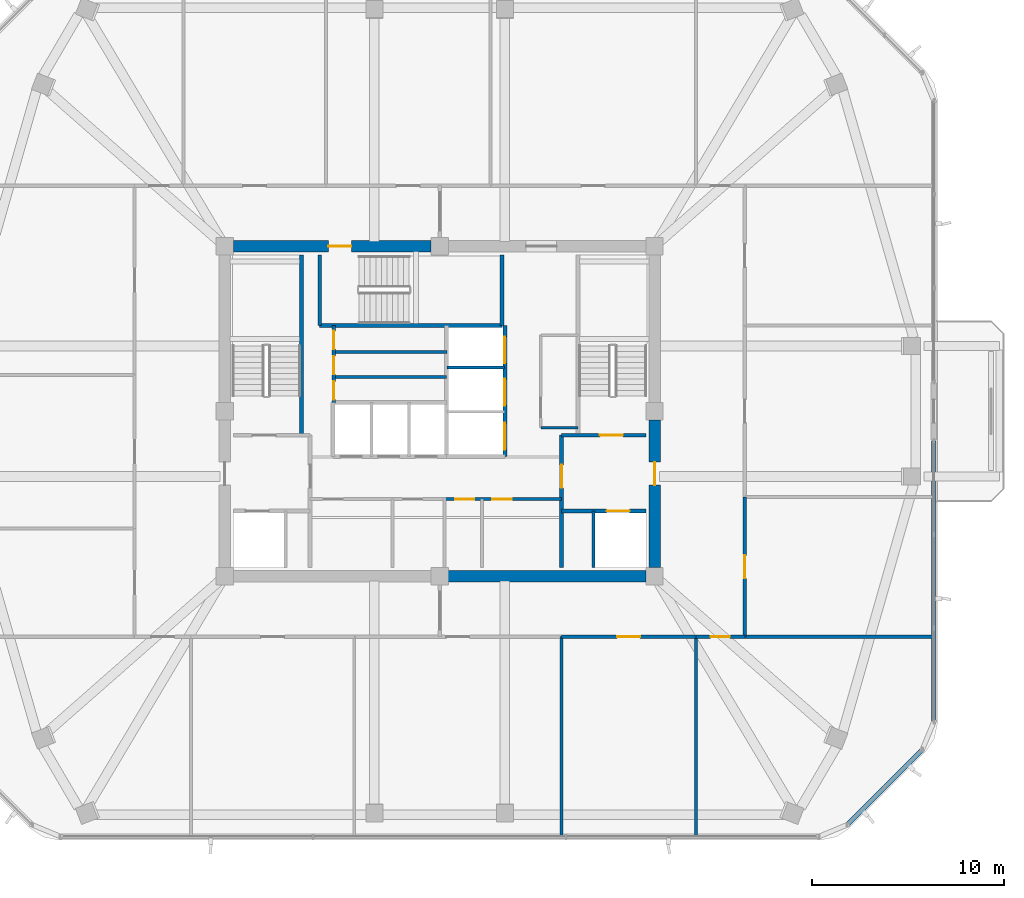
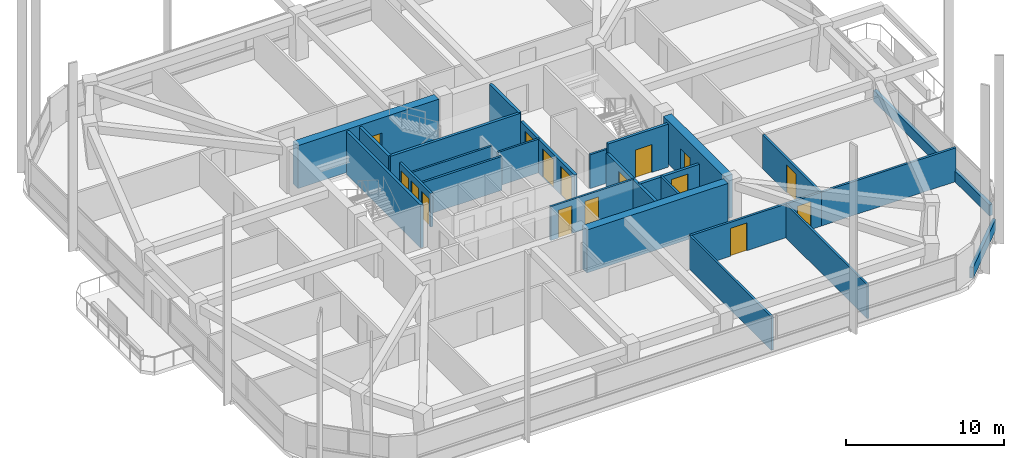
# One storey, part 11 of 17: 26 walls, 16 doors, 16 openings.
"""IFC4 building model written with IfcOpenShell, lengths in metres."""

import ifcopenshell
import ifcopenshell.guid

model = None  # the IFC model being written
_history = None  # IfcOwnerHistory: only IFC2X3 demands one
_inside = {}  # id of a spatial element -> (the spatial element, [elements in it])
_under = {}  # id of a project, library or spatial element -> (it, [spatial elements below it])
_declared = {}  # id of a project -> (the project, [libraries it declares])
_typed = {}  # id of a type object -> (the type object, [elements of that type])
_made_of = {}  # id of a material, layer set ... -> (it, [elements and type objects made of it])


def new_model(schema):
    """Start an empty IFC model of exactly this schema.

    Asked for "IFC4X3", IfcOpenShell would pick the latest addendum, in which some entities
    have other attributes; the version numbers below select the first issue.
    IFC2X3 requires an IfcOwnerHistory on every rooted entity: one is made here for all.
    """
    global model, _history
    if schema == "IFC4X3":
        model = ifcopenshell.file(schema_version=(4, 3, 0, 0))
    else:
        model = ifcopenshell.file(schema=schema)
    _inside.clear()
    _under.clear()
    _declared.clear()
    _typed.clear()
    _made_of.clear()
    _history = None
    if model.schema == "IFC2X3":
        org = make("IfcOrganization", Name="unknown")
        user = make(
            "IfcPersonAndOrganization",
            ThePerson=make("IfcPerson", FamilyName="unknown"),
            TheOrganization=org,
        )
        app = make(
            "IfcApplication",
            ApplicationDeveloper=org,
            Version="unknown",
            ApplicationFullName="unknown",
            ApplicationIdentifier="unknown",
        )
        _history = make(
            "IfcOwnerHistory",
            OwningUser=user,
            OwningApplication=app,
            ChangeAction="ADDED",
            CreationDate=0,
        )
    return model


def make(cls, **values):
    """One entity of the class cls with the attributes given. An attribute that is None is left unset."""
    return model.create_entity(
        cls, **{name: value for name, value in values.items() if value is not None}
    )


def rooted(cls, **values):
    """An entity with a GlobalId (a new one), such as an element, a storey or a relation."""
    return make(cls, GlobalId=ifcopenshell.guid.new(), OwnerHistory=_history, **values)


def si_unit(unit_type, name, prefix=None):
    """IfcSIUnit, for example si_unit("LENGTHUNIT", "METRE", prefix="MILLI")."""
    return make("IfcSIUnit", UnitType=unit_type, Prefix=prefix, Name=name)


def derived_unit(unit_type, elements):
    """IfcDerivedUnit: a product of units, each with its exponent."""
    return make(
        "IfcDerivedUnit",
        Elements=[
            make("IfcDerivedUnitElement", Unit=unit, Exponent=power)
            for unit, power in elements
        ],
        UnitType=unit_type,
    )


def assignment(units):
    """IfcUnitAssignment: the units of a project."""
    return None if units is None else make("IfcUnitAssignment", Units=units)


def point(xyz):
    """IfcCartesianPoint."""
    return None if xyz is None else make("IfcCartesianPoint", Coordinates=xyz)


def direction(xyz):
    """IfcDirection."""
    return None if xyz is None else make("IfcDirection", DirectionRatios=xyz)


def frame(location, z_axis=None, x_axis=None):
    """IfcAxis2Placement3D, a coordinate frame: its origin and axes. An axis left out is left unset."""
    return make(
        "IfcAxis2Placement3D",
        Location=point(location),
        Axis=direction(z_axis),
        RefDirection=direction(x_axis),
    )


def frame_2d(location, x_axis=None):
    """IfcAxis2Placement2D, a coordinate frame in the plane: its origin and x axis."""
    return make(
        "IfcAxis2Placement2D", Location=point(location), RefDirection=direction(x_axis)
    )


def origin():
    """The frame at (0, 0, 0) with its axes left unset."""
    return frame((0.0, 0.0, 0.0))


def place(relative_to, where):
    """IfcLocalPlacement: puts the frame where relative to a parent placement (None: the world)."""
    return make(
        "IfcLocalPlacement", PlacementRelTo=relative_to, RelativePlacement=where
    )


def context(
    kind, dimensions, precision=None, world=None, true_north=None, identifier=None
):
    """IfcGeometricRepresentationContext, for example the 3D "Model" context."""
    return make(
        "IfcGeometricRepresentationContext",
        ContextIdentifier=identifier,
        ContextType=kind,
        CoordinateSpaceDimension=dimensions,
        Precision=precision,
        WorldCoordinateSystem=world,
        TrueNorth=true_north,
    )


def subcontext(parent, identifier, kind, view, scale=None):
    """IfcGeometricRepresentationSubContext, for example "Body" below "Model"."""
    return make(
        "IfcGeometricRepresentationSubContext",
        ContextIdentifier=identifier,
        ContextType=kind,
        ParentContext=parent,
        TargetScale=scale,
        TargetView=view,
    )


def project(units=None, contexts=None):
    """IfcProject with its units and contexts."""
    return rooted(
        "IfcProject",
        Name="project",
        RepresentationContexts=contexts,
        UnitsInContext=assignment(units),
    )


def spatial(cls, under=None, at=None, **own):
    """A site, building, storey or space (cls), placed at a placement, below another one or the project."""
    s = rooted(cls, ObjectPlacement=at, **own)
    if under is not None:
        _under.setdefault(under.id(), (under, []))[1].append(s)
    return s


def profile(cls, at=None, kind="AREA", **sizes):
    """A parametric profile (cls). Its sizes go by their IFC names, for example OverallWidth=200.0."""
    return make(cls, ProfileType=kind, Position=at, **sizes)


def rectangle(**sizes):
    """IfcRectangleProfileDef."""
    return profile("IfcRectangleProfileDef", **sizes)


def extrude(swept, where, along, depth):
    """IfcExtrudedAreaSolid: the profile swept, set in the frame where, extruded along a direction by depth."""
    return make(
        "IfcExtrudedAreaSolid",
        SweptArea=swept,
        Position=where,
        ExtrudedDirection=direction(along),
        Depth=depth,
    )


def shape(context_of_items, identifier, shape_type, items):
    """IfcShapeRepresentation: the items that make up one representation, for example the "Body"."""
    return make(
        "IfcShapeRepresentation",
        ContextOfItems=context_of_items,
        RepresentationIdentifier=identifier,
        RepresentationType=shape_type,
        Items=items,
    )


def material(Name=None, Category=None):
    """IfcMaterial."""
    return make("IfcMaterial", Name=Name, Category=Category)


def layer(
    of_material, thickness, ventilated=None, Name=None, Category=None, Priority=None
):
    """IfcMaterialLayer: one layer of a wall or slab, of a material (None: an air gap)."""
    return make(
        "IfcMaterialLayer",
        Material=of_material,
        LayerThickness=thickness,
        IsVentilated=ventilated,
        Name=Name,
        Category=Category,
        Priority=Priority,
    )


def layer_set(layers, Name=None):
    """IfcMaterialLayerSet."""
    return make("IfcMaterialLayerSet", MaterialLayers=layers, LayerSetName=Name)


def made_of(thing, what):
    """Note that an element or type object is made of a material, layer set ...; save() writes the relation."""
    if what is not None:
        _made_of.setdefault(what.id(), (what, []))[1].append(thing)
    return thing


def type_object(cls, material=None, **own):
    """A type object (cls), such as IfcWallType, which elements share."""
    return made_of(rooted(cls, **own), material)


def element(
    cls,
    number,
    at=None,
    inside=None,
    cuts=None,
    type_object=None,
    material=None,
    context=None,
    identifier="Body",
    shape_type=None,
    held_by="IfcProductDefinitionShape",
    body=None,
    shapes=None,
    **own,
):
    """One element of the class cls, such as IfcWall. Its Tag is "e" and its number.

    at: its placement. inside: the storey or other place that contains it. cuts: it is an
    opening in that element (IfcRelVoidsElement). A single representation is given by context,
    identifier, shape_type and body (its items); several are given by shapes. held_by: the class
    of the entity that holds the representations. save() writes the other relations.
    """
    e = rooted(cls, Tag="e%d" % number, ObjectPlacement=at, **own)
    if body is not None:
        shapes = [shape(context, identifier, shape_type, body)]
    if shapes is not None:
        e.Representation = make(held_by, Representations=shapes)
    if inside is not None:
        _inside.setdefault(inside.id(), (inside, []))[1].append(e)
    if cuts is not None:
        rooted(
            "IfcRelVoidsElement", RelatingBuildingElement=cuts, RelatedOpeningElement=e
        )
    if type_object is not None:
        _typed.setdefault(type_object.id(), (type_object, []))[1].append(e)
    return made_of(e, material)


def fill(opening, filler):
    """IfcRelFillsElement: the door or window that sits in an opening."""
    return rooted(
        "IfcRelFillsElement",
        RelatingOpeningElement=opening,
        RelatedBuildingElement=filler,
    )


def aggregate(whole, parts):
    """IfcRelAggregates: a whole, such as a stair, and the parts it consists of."""
    return rooted("IfcRelAggregates", RelatingObject=whole, RelatedObjects=parts)


def save(model, path):
    """Write the relations noted so far, then the file.

    IfcRelAggregates (storeys below a building ...), IfcRelContainedInSpatialStructure (elements
    in a storey), IfcRelDefinesByType, IfcRelAssociatesMaterial and IfcRelDeclares: one each for
    every whole, place, type object, material and project.
    """
    for whole, parts in _under.values():
        aggregate(whole, parts)
    for where, things in _inside.values():
        rooted(
            "IfcRelContainedInSpatialStructure",
            RelatedElements=things,
            RelatingStructure=where,
        )
    for kind, things in _typed.values():
        rooted("IfcRelDefinesByType", RelatedObjects=things, RelatingType=kind)
    for what, things in _made_of.values():
        rooted("IfcRelAssociatesMaterial", RelatedObjects=things, RelatingMaterial=what)
    for by, libraries in _declared.values():
        rooted("IfcRelDeclares", RelatingContext=by, RelatedDefinitions=libraries)
    model.write(path)


model = new_model("IFC4")

# Units and contexts
model_context = context("Model", 3, precision=1e-05, world=origin(), true_north=direction((0.0, 1.0)))
body_context = subcontext(model_context, "Body", "Model", "MODEL_VIEW")
ifc_project = project(units=[si_unit("LENGTHUNIT", "METRE"), si_unit("AREAUNIT", "SQUARE_METRE"), si_unit("VOLUMEUNIT", "CUBIC_METRE"), si_unit("PLANEANGLEUNIT", "RADIAN"), si_unit("MASSUNIT", "GRAM", prefix="KILO"), derived_unit("THERMALTRANSMITTANCEUNIT", [(si_unit("POWERUNIT", "WATT"), 1), (si_unit("LENGTHUNIT", "METRE"), -2), (si_unit("THERMODYNAMICTEMPERATUREUNIT", "KELVIN"), -1)])], contexts=[model_context])

# Site, building, storey
site_placement = place(None, origin())
site = spatial("IfcSite", under=ifc_project, at=site_placement, CompositionType="ELEMENT")
building_placement = place(site_placement, origin())
building = spatial("IfcBuilding", under=site, at=building_placement, Name="Koralith Skygarden Medical Center", CompositionType="ELEMENT")
storey_placement = place(building_placement, frame((0.0, 0.0, 207.179931640625)))
storey = spatial("IfcBuildingStorey", under=building, at=storey_placement, Name="L53", CompositionType="ELEMENT", Elevation=207.179931640625)

# Wall, openings, doors
ifc_material_1 = material(Name="Gypsum Board Partition")
ifc_layer_1 = layer(ifc_material_1, 0.14990234375)
ifc_layer_set_1 = layer_set([ifc_layer_1], Name="Gypsum Board Partition")
wall_type_1 = type_object("IfcWallType", Name="Clinical Acoustic Partition 150", PredefinedType="PARTITIONING", material=ifc_layer_set_1)
wall_1_placement = place(storey_placement, frame((37.25, 21.320068359375, 0.0), z_axis=(0.0, 0.0, 1.0), x_axis=(1.0, 0.0, 0.0)))
wall_1 = element("IfcWall", 1, at=wall_1_placement, inside=storey, type_object=wall_type_1, Name="L53 Clinical Acoustic Partition 150 W-CORE-L53-FREED-MR-N", PredefinedType="PARTITIONING", context=body_context, shape_type="SweptSolid", body=[
    extrude(rectangle(XDim=6.10009765625, YDim=0.14990234375, at=frame_2d((3.050048828125, 0.0))), origin(), (0.0, 0.0, 1.0), 2.610107421875),
])
opening_1_placement = place(wall_1_placement, frame((0.550048828125, 0.0, 0.0)))
opening_1 = element("IfcOpeningElement", 2, at=opening_1_placement, cuts=wall_1, Name="Opening D-SUP", PredefinedType="OPENING", context=body_context, shape_type="SweptSolid", body=[
    extrude(rectangle(XDim=1.0, YDim=2.14990234375, at=frame_2d((0.5, 1.074951171875))), frame((0.0, 0.0849609375, 0.0), z_axis=(0.0, -1.0, 0.0), x_axis=(1.0, 0.0, 0.0)), (0.0, 0.0, 1.0), 0.169921875),
])
opening_2_placement = place(wall_1_placement, frame((2.5, 0.0, 0.0)))
opening_2 = element("IfcOpeningElement", 3, at=opening_2_placement, cuts=wall_1, Name="Opening D-SUP", PredefinedType="OPENING", context=body_context, shape_type="SweptSolid", body=[
    extrude(rectangle(XDim=1.0, YDim=2.14990234375, at=frame_2d((0.5, 1.074951171875))), frame((0.0, 0.0849609375, 0.0), z_axis=(0.0, -1.0, 0.0), x_axis=(1.0, 0.0, 0.0)), (0.0, 0.0, 1.0), 0.169921875),
])
ifc_material_2 = material(Name="Aluminium 6063-T6", Category="aluminium")
door_type_1 = type_object("IfcDoorType", Name="Clinical Support Door D-SUP 1000", OperationType="NOTDEFINED", PredefinedType="DOOR", material=ifc_material_2)
door_1_placement = place(opening_1_placement, frame((1.0, 0.0, 0.0), z_axis=(0.0, 0.0, 1.0), x_axis=(-1.0, 0.0, 0.0)))
door_1 = element("IfcDoor", 4, at=door_1_placement, inside=storey, type_object=door_type_1, Name="L53 Satellite Pharmacy Door", OperationType="SINGLE_SWING_LEFT", OverallHeight=2.14990234375, OverallWidth=1.0, PredefinedType="DOOR", context=body_context, shape_type="SweptSolid", body=[
    extrude(rectangle(XDim=1.0, YDim=2.14990234375, at=frame_2d((0.5, 1.074951171875))), frame((0.0, 0.02490234375, 0.0), z_axis=(0.0, -1.0, 0.0), x_axis=(1.0, 0.0, 0.0)), (0.0, 0.0, 1.0), 0.050048828125),
])
fill(opening_1, door_1)
door_2_placement = place(opening_2_placement, frame((1.0, 0.0, 0.0), z_axis=(0.0, 0.0, 1.0), x_axis=(-1.0, 0.0, 0.0)))
door_2 = element("IfcDoor", 5, at=door_2_placement, inside=storey, type_object=door_type_1, Name="L53 Biomedical Equipment Door", OperationType="SINGLE_SWING_RIGHT", OverallHeight=2.14990234375, OverallWidth=1.0, PredefinedType="DOOR", context=body_context, shape_type="SweptSolid", body=[
    extrude(rectangle(XDim=1.0, YDim=2.14990234375, at=frame_2d((0.5, 1.074951171875))), frame((0.0, 0.02490234375, 0.0), z_axis=(0.0, -1.0, 0.0), x_axis=(1.0, 0.0, 0.0)), (0.0, 0.0, 1.0), 0.050048828125),
])
fill(opening_2, door_2)

# Walls
wall_2_placement = place(storey_placement, frame((42.27001953125, 25.0400390625, 0.0), z_axis=(0.0, 0.0, 1.0), x_axis=(1.0, 0.0, 0.0)))
element("IfcWall", 6, at=wall_2_placement, inside=storey, type_object=wall_type_1, Name="L53 Clinical Acoustic Partition 150 W-CORE-L53-ESUB-S", PredefinedType="PARTITIONING", context=body_context, shape_type="SweptSolid", body=[
    extrude(rectangle(XDim=1.929931640625, YDim=0.14990234375, at=frame_2d((0.96484375, 0.0))), origin(), (0.0, 0.0, 1.0), 2.610107421875),
])
wall_3_placement = place(storey_placement, frame((31.47998046875, 28.97998046875, 0.0), z_axis=(0.0, 0.0, 1.0), x_axis=(1.0, 0.0, 0.0)))
element("IfcWall", 7, at=wall_3_placement, inside=storey, type_object=wall_type_1, Name="L53 Clinical Acoustic Partition 150 W-CORE-L53-FLEX-H1B", PredefinedType="PARTITIONING", context=body_context, shape_type="SweptSolid", body=[
    extrude(rectangle(XDim=5.89013671875, YDim=0.14990234375, at=frame_2d((2.945068359375, 0.0))), origin(), (0.0, 0.0, 1.0), 2.610107421875),
])
for number, where, z_axis, x_axis, name in (
    (8, (43.342041015625, 14.14990234375, 0.0), (0.0, 0.0, 1.0), (0.0, -1.0, 0.0), "L53 Clinical Acoustic Partition 150 W-PART-L53-S-03"),
    (9, (50.35009765625, 14.14990234375, 0.0), (0.0, 0.0, 1.0), (0.0, -1.0, 0.0), "L53 Clinical Acoustic Partition 150 W-PART-L53-S-04"),
):
    element("IfcWall", number, at=place(storey_placement, frame(where, z_axis=z_axis, x_axis=x_axis)), inside=storey, type_object=wall_type_1, Name=name, PredefinedType="PARTITIONING", context=body_context, shape_type="SweptSolid", body=[
        extrude(rectangle(XDim=10.386962890625, YDim=0.14990234375, at=frame_2d((5.193359375, 0.0))), origin(), (0.0, 0.0, 1.0), 2.610107421875),
    ])
ifc_layer_2 = layer(ifc_material_1, 0.1650390625)
ifc_layer_set_2 = layer_set([ifc_layer_2], Name="Gypsum Board Partition")
wall_type_2 = type_object("IfcWallType", Name="Clinical Corridor Partition 165", PredefinedType="PARTITIONING", material=ifc_layer_set_2)
wall_4_placement = place(storey_placement, frame((52.89990234375, 14.14990234375, 0.0), z_axis=(0.0, 0.0, 1.0), x_axis=(1.0, 0.0, 0.0)))
element("IfcWall", 10, at=wall_4_placement, inside=storey, type_object=wall_type_2, Name="L53 Clinical Corridor Partition 165 W-WB-L53-SE", PredefinedType="PARTITIONING", context=body_context, shape_type="SweptSolid", body=[
    extrude(rectangle(XDim=9.8330078125, YDim=0.1650390625, at=frame_2d((4.91650390625, 0.0))), origin(), (0.0, 0.0, 1.0), 2.610107421875),
])

# Wall, opening, door
wall_5_placement = place(storey_placement, frame((43.342041015625, 14.14990234375, 0.0), z_axis=(0.0, 0.0, 1.0), x_axis=(1.0, 0.0, 0.0)))
wall_5 = element("IfcWall", 11, at=wall_5_placement, inside=storey, type_object=wall_type_2, Name="L53 Clinical Corridor Partition 165 W-CORR-L53-S-04", PredefinedType="PARTITIONING", context=body_context, shape_type="SweptSolid", body=[
    extrude(rectangle(XDim=7.008056640625, YDim=0.1650390625, at=frame_2d((3.50390625, 0.0))), origin(), (0.0, 0.0, 1.0), 2.610107421875),
])
opening_3_placement = place(wall_5_placement, frame((2.904052734375, 0.0, 0.0)))
opening_3 = element("IfcOpeningElement", 12, at=opening_3_placement, cuts=wall_5, Name="Opening D-CLN", PredefinedType="OPENING", context=body_context, shape_type="SweptSolid", body=[
    extrude(rectangle(XDim=1.199951171875, YDim=2.14990234375, at=frame_2d((0.60009765625, 1.074951171875))), frame((0.0, 0.092529296875, 0.0), z_axis=(0.0, -1.0, 0.0), x_axis=(1.0, 0.0, 0.0)), (0.0, 0.0, 1.0), 0.18505859375),
])
door_type_2 = type_object("IfcDoorType", Name="Clinical Corridor Door D-CLN 1200", OperationType="NOTDEFINED", PredefinedType="DOOR", material=ifc_material_2)
door_3_placement = place(opening_3_placement, frame((1.199951171875, 0.0, 0.0), z_axis=(0.0, 0.0, 1.0), x_axis=(-1.0, 0.0, 0.0)))
door_3 = element("IfcDoor", 13, at=door_3_placement, inside=storey, type_object=door_type_2, Name="L53 Pharmacy Bulk IV Supply Store 09 Door", OperationType="SINGLE_SWING_RIGHT", OverallHeight=2.14990234375, OverallWidth=1.199951171875, PredefinedType="DOOR", context=body_context, shape_type="SweptSolid", body=[
    extrude(rectangle(XDim=1.199951171875, YDim=2.14990234375, at=frame_2d((0.60009765625, 1.074951171875))), frame((0.0, 0.02490234375, 0.0), z_axis=(0.0, -1.0, 0.0), x_axis=(1.0, 0.0, 0.0)), (0.0, 0.0, 1.0), 0.050048828125),
])
fill(opening_3, door_3)

wall_6_placement = place(storey_placement, frame((50.35009765625, 14.14990234375, 0.0), z_axis=(0.0, 0.0, 1.0), x_axis=(1.0, 0.0, 0.0)))
wall_6 = element("IfcWall", 14, at=wall_6_placement, inside=storey, type_object=wall_type_2, Name="L53 Clinical Corridor Partition 165 W-CORR-L53-S-05", PredefinedType="PARTITIONING", context=body_context, shape_type="SweptSolid", body=[
    extrude(rectangle(XDim=2.5498046875, YDim=0.1650390625, at=frame_2d((1.27490234375, 0.0))), origin(), (0.0, 0.0, 1.0), 2.610107421875),
])
opening_4_placement = place(wall_6_placement, frame((0.77490234375, 0.0, 0.0)))
opening_4 = element("IfcOpeningElement", 15, at=opening_4_placement, cuts=wall_6, Name="Opening D-SUP", PredefinedType="OPENING", context=body_context, shape_type="SweptSolid", body=[
    extrude(rectangle(XDim=1.0, YDim=2.14990234375, at=frame_2d((0.5, 1.074951171875))), frame((0.0, 0.092529296875, 0.0), z_axis=(0.0, -1.0, 0.0), x_axis=(1.0, 0.0, 0.0)), (0.0, 0.0, 1.0), 0.18505859375),
])
door_4_placement = place(opening_4_placement, frame((1.0, 0.0, 0.0), z_axis=(0.0, 0.0, 1.0), x_axis=(-1.0, 0.0, 0.0)))
door_4 = element("IfcDoor", 16, at=door_4_placement, inside=storey, type_object=door_type_1, Name="L53 Sterile Catheter Supply Store 10 Door", OperationType="SINGLE_SWING_LEFT", OverallHeight=2.14990234375, OverallWidth=1.0, PredefinedType="DOOR", context=body_context, shape_type="SweptSolid", body=[
    extrude(rectangle(XDim=1.0, YDim=2.14990234375, at=frame_2d((0.5, 1.074951171875))), frame((0.0, 0.02490234375, 0.0), z_axis=(0.0, -1.0, 0.0), x_axis=(1.0, 0.0, 0.0)), (0.0, 0.0, 1.0), 0.050048828125),
])
fill(opening_4, door_4)

wall_7_placement = place(storey_placement, frame((52.89990234375, 14.14990234375, 0.0), z_axis=(0.0, 0.0, 1.0), x_axis=(0.0, 1.0, 0.0)))
wall_7 = element("IfcWall", 17, at=wall_7_placement, inside=storey, type_object=wall_type_2, Name="L53 Clinical Corridor Partition 165 W-CORR-L53-E-01", PredefinedType="PARTITIONING", context=body_context, shape_type="SweptSolid", body=[
    extrude(rectangle(XDim=7.28515625, YDim=0.1650390625, at=frame_2d((3.642578125, 0.0))), origin(), (0.0, 0.0, 1.0), 2.610107421875),
])
opening_5_placement = place(wall_7_placement, frame((3.0419921875, 0.0, 0.0)))
opening_5 = element("IfcOpeningElement", 18, at=opening_5_placement, cuts=wall_7, Name="Opening D-CLN", PredefinedType="OPENING", context=body_context, shape_type="SweptSolid", body=[
    extrude(rectangle(XDim=1.199951171875, YDim=2.14990234375, at=frame_2d((0.60009765625, 1.074951171875))), frame((0.0, 0.092529296875, 0.0), z_axis=(0.0, -1.0, 0.0), x_axis=(1.0, 0.0, 0.0)), (0.0, 0.0, 1.0), 0.18505859375),
])
door_5_placement = place(opening_5_placement, origin())
door_5 = element("IfcDoor", 19, at=door_5_placement, inside=storey, type_object=door_type_2, Name="L53 Pharmacy Bulk IV Supply Store 14 Door", OperationType="SINGLE_SWING_LEFT", OverallHeight=2.14990234375, OverallWidth=1.199951171875, PredefinedType="DOOR", context=body_context, shape_type="SweptSolid", body=[
    extrude(rectangle(XDim=1.199951171875, YDim=2.14990234375, at=frame_2d((0.60009765625, 1.074951171875))), frame((0.0, 0.02490234375, 0.0), z_axis=(0.0, -1.0, 0.0), x_axis=(1.0, 0.0, 0.0)), (0.0, 0.0, 1.0), 0.050048828125),
])
fill(opening_5, door_5)

ifc_layer_3 = layer(ifc_material_1, 0.199951171875)
ifc_layer_set_3 = layer_set([ifc_layer_3], Name="Gypsum Board Partition")
wall_type_3 = type_object("IfcWallType", Name="Fire Shaft Wall 200", PredefinedType="SOLIDWALL", material=ifc_layer_set_3)
wall_8_placement = place(storey_placement, frame((43.35009765625, 20.699951171875, 0.0), z_axis=(0.0, 0.0, 1.0), x_axis=(1.0, 0.0, 0.0)))
wall_8 = element("IfcWall", 20, at=wall_8_placement, inside=storey, type_object=wall_type_3, Name="L53 Fire Shaft Wall 200 W-CORE-L53-FF2-N", PredefinedType="SOLIDWALL", context=body_context, shape_type="SweptSolid", body=[
    extrude(rectangle(XDim=4.39990234375, YDim=0.199951171875, at=frame_2d((2.199951171875, 0.0))), origin(), (0.0, 0.0, 1.0), 2.610107421875),
])
opening_6_placement = place(wall_8_placement, frame((2.35009765625, 0.0, 0.0)))
opening_6 = element("IfcOpeningElement", 21, at=opening_6_placement, cuts=wall_8, Name="Opening LD-FF", PredefinedType="OPENING", context=body_context, shape_type="SweptSolid", body=[
    extrude(rectangle(XDim=1.199951171875, YDim=2.14990234375, at=frame_2d((0.60009765625, 1.074951171875))), frame((0.0, 0.10986328125, 0.0), z_axis=(0.0, -1.0, 0.0), x_axis=(1.0, 0.0, 0.0)), (0.0, 0.0, 1.0), 0.219970703125),
])
ifc_material_3 = material(Name="Steel ASTM A500 Grade C", Category="steel")
door_type_3 = type_object("IfcDoorType", Name="Fire Lift Sliding Landing Door LD-FF 1200", OperationType="NOTDEFINED", PredefinedType="DOOR", material=ifc_material_3)
door_6_placement = place(opening_6_placement, origin())
door_6 = element("IfcDoor", 22, at=door_6_placement, inside=storey, type_object=door_type_3, Name="L53 Fire Service Elevator FF2 Landing Door", OperationType="SLIDING_TO_RIGHT", OverallHeight=2.14990234375, OverallWidth=1.199951171875, PredefinedType="DOOR", context=body_context, shape_type="SweptSolid", body=[
    extrude(rectangle(XDim=1.199951171875, YDim=2.14990234375, at=frame_2d((0.60009765625, 1.074951171875))), frame((0.0, 0.02490234375, 0.0), z_axis=(0.0, -1.0, 0.0), x_axis=(1.0, 0.0, 0.0)), (0.0, 0.0, 1.0), 0.050048828125),
])
fill(opening_6, door_6)

wall_9_placement = place(storey_placement, frame((43.35009765625, 17.75, 0.0), z_axis=(0.0, 0.0, 1.0), x_axis=(0.0, 1.0, 0.0)))
wall_9 = element("IfcWall", 23, at=wall_9_placement, inside=storey, type_object=wall_type_3, Name="L53 Fire Shaft Wall 200 W-CORE-L53-FSAEE-W", PredefinedType="SOLIDWALL", context=body_context, shape_type="SweptSolid", body=[
    extrude(rectangle(XDim=6.89990234375, YDim=0.199951171875, at=frame_2d((3.449951171875, 0.0))), origin(), (0.0, 0.0, 1.0), 2.610107421875),
])
opening_7_placement = place(wall_9_placement, frame((4.14990234375, 0.0, 0.0)))
opening_7 = element("IfcOpeningElement", 24, at=opening_7_placement, cuts=wall_9, Name="Opening D-ST60", PredefinedType="OPENING", context=body_context, shape_type="SweptSolid", body=[
    extrude(rectangle(XDim=1.199951171875, YDim=2.14990234375, at=frame_2d((0.60009765625, 1.074951171875))), frame((0.0, 0.10986328125, 0.0), z_axis=(0.0, -1.0, 0.0), x_axis=(1.0, 0.0, 0.0)), (0.0, 0.0, 1.0), 0.219970703125),
])
door_type_4 = type_object("IfcDoorType", Name="Smokeproof Stair Fire Door FD60S 1200", OperationType="NOTDEFINED", PredefinedType="DOOR", material=ifc_material_3)
door_7_placement = place(opening_7_placement, frame((1.199951171875, 0.0, 0.0), z_axis=(0.0, 0.0, 1.0), x_axis=(-1.0, 0.0, 0.0)))
door_7 = element("IfcDoor", 25, at=door_7_placement, inside=storey, type_object=door_type_4, Name="L53 East Firefighting Lobby Inner Fire Door", OperationType="SINGLE_SWING_RIGHT", OverallHeight=2.14990234375, OverallWidth=1.199951171875, PredefinedType="DOOR", context=body_context, shape_type="SweptSolid", body=[
    extrude(rectangle(XDim=1.199951171875, YDim=2.14990234375, at=frame_2d((0.60009765625, 1.074951171875))), frame((0.0, 0.02490234375, 0.0), z_axis=(0.0, -1.0, 0.0), x_axis=(1.0, 0.0, 0.0)), (0.0, 0.0, 1.0), 0.050048828125),
])
fill(opening_7, door_7)

# Wall, openings, doors
wall_10_placement = place(storey_placement, frame((40.39990234375, 23.5400390625, 0.0), z_axis=(0.0, 0.0, 1.0), x_axis=(0.0, 1.0, 0.0)))
wall_10 = element("IfcWall", 26, at=wall_10_placement, inside=storey, type_object=wall_type_3, Name="L53 Fire Shaft Wall 200 W-CORE-L53-SV-E", PredefinedType="SOLIDWALL", context=body_context, shape_type="SweptSolid", body=[
    extrude(rectangle(XDim=6.820068359375, YDim=0.199951171875, at=frame_2d((3.41015625, 0.0))), origin(), (0.0, 0.0, 1.0), 2.610107421875),
])
opening_8_placement = place(wall_10_placement, frame((0.35009765625, 0.0, 0.0)))
opening_8 = element("IfcOpeningElement", 27, at=opening_8_placement, cuts=wall_10, Name="Opening LD-SV", PredefinedType="OPENING", context=body_context, shape_type="SweptSolid", body=[
    extrude(rectangle(XDim=1.39990234375, YDim=2.199951171875, at=frame_2d((0.699951171875, 1.10009765625))), frame((0.0, 0.10986328125, 0.0), z_axis=(0.0, -1.0, 0.0), x_axis=(1.0, 0.0, 0.0)), (0.0, 0.0, 1.0), 0.219970703125),
])
opening_9_placement = place(wall_10_placement, frame((2.64990234375, 0.0, 0.0)))
opening_9 = element("IfcOpeningElement", 28, at=opening_9_placement, cuts=wall_10, Name="Opening LD-SV", PredefinedType="OPENING", context=body_context, shape_type="SweptSolid", body=[
    extrude(rectangle(XDim=1.39990234375, YDim=2.199951171875, at=frame_2d((0.699951171875, 1.10009765625))), frame((0.0, 0.10986328125, 0.0), z_axis=(0.0, -1.0, 0.0), x_axis=(1.0, 0.0, 0.0)), (0.0, 0.0, 1.0), 0.219970703125),
])
opening_10_placement = place(wall_10_placement, frame((4.85009765625, 0.0, 0.0)))
opening_10 = element("IfcOpeningElement", 29, at=opening_10_placement, cuts=wall_10, Name="Opening LD-SV", PredefinedType="OPENING", context=body_context, shape_type="SweptSolid", body=[
    extrude(rectangle(XDim=1.39990234375, YDim=2.199951171875, at=frame_2d((0.699951171875, 1.10009765625))), frame((0.0, 0.10986328125, 0.0), z_axis=(0.0, -1.0, 0.0), x_axis=(1.0, 0.0, 0.0)), (0.0, 0.0, 1.0), 0.219970703125),
])
door_type_5 = type_object("IfcDoorType", Name="Bed Lift Sliding Landing Door LD-SV 1400", OperationType="NOTDEFINED", PredefinedType="DOOR", material=ifc_material_3)
door_8_placement = place(opening_8_placement, origin())
door_8 = element("IfcDoor", 30, at=door_8_placement, inside=storey, type_object=door_type_5, Name="L53 Bed Elevator BD1 Landing Door", OperationType="SLIDING_TO_LEFT", OverallHeight=2.199951171875, OverallWidth=1.39990234375, PredefinedType="DOOR", context=body_context, shape_type="SweptSolid", body=[
    extrude(rectangle(XDim=1.39990234375, YDim=2.199951171875, at=frame_2d((0.699951171875, 1.10009765625))), frame((0.0, 0.02490234375, 0.0), z_axis=(0.0, -1.0, 0.0), x_axis=(1.0, 0.0, 0.0)), (0.0, 0.0, 1.0), 0.050048828125),
])
fill(opening_8, door_8)
door_9_placement = place(opening_9_placement, origin())
door_9 = element("IfcDoor", 31, at=door_9_placement, inside=storey, type_object=door_type_5, Name="L53 Service Elevator BD2 Landing Door", OperationType="SLIDING_TO_LEFT", OverallHeight=2.199951171875, OverallWidth=1.39990234375, PredefinedType="DOOR", context=body_context, shape_type="SweptSolid", body=[
    extrude(rectangle(XDim=1.39990234375, YDim=2.199951171875, at=frame_2d((0.699951171875, 1.10009765625))), frame((0.0, 0.02490234375, 0.0), z_axis=(0.0, -1.0, 0.0), x_axis=(1.0, 0.0, 0.0)), (0.0, 0.0, 1.0), 0.050048828125),
])
fill(opening_9, door_9)
door_10_placement = place(opening_10_placement, origin())
door_10 = element("IfcDoor", 32, at=door_10_placement, inside=storey, type_object=door_type_5, Name="L53 Trauma Elevator TR1 Landing Door", OperationType="SLIDING_TO_RIGHT", OverallHeight=2.199951171875, OverallWidth=1.39990234375, PredefinedType="DOOR", context=body_context, shape_type="SweptSolid", body=[
    extrude(rectangle(XDim=1.39990234375, YDim=2.199951171875, at=frame_2d((0.699951171875, 1.10009765625))), frame((0.0, 0.02490234375, 0.0), z_axis=(0.0, -1.0, 0.0), x_axis=(1.0, 0.0, 0.0)), (0.0, 0.0, 1.0), 0.050048828125),
])
fill(opening_10, door_10)

# Walls
ifc_material_4 = material(Name="Warm Oolitic Limestone Cladding", Category="masonry")
ifc_layer_4 = layer(ifc_material_4, 0.239990234375)
ifc_layer_set_4 = layer_set([ifc_layer_4], Name="Warm Oolitic Limestone Cladding")
wall_type_4 = type_object("IfcWallType", Name="Limestone Spandrel Sill Backup Wall 240", PredefinedType="SOLIDWALL", material=ifc_layer_set_4)
wall_11_placement = place(storey_placement, frame((58.22802734375, 4.343994140625, 0.0), z_axis=(0.0, 0.0, 1.0), x_axis=(0.707084777957, 0.707128783731, 0.0)))
element("IfcWall", 33, at=wall_11_placement, inside=storey, type_object=wall_type_4, Name="L53 Sill Spandrel SE", PredefinedType="SOLIDWALL", context=body_context, shape_type="SweptSolid", body=[
    extrude(rectangle(XDim=5.5478515625, YDim=0.239990234375, at=frame_2d((2.77392578125, 0.0))), origin(), (0.0, 0.0, 1.0), 0.85009765625),
])
wall_12_placement = place(storey_placement, frame((62.751953125, 9.718017578125, 0.0), z_axis=(0.0, 0.0, 1.0), x_axis=(0.0, 1.0, 0.0)))
element("IfcWall", 34, at=wall_12_placement, inside=storey, type_object=wall_type_4, Name="L53 Sill Spandrel E-L", PredefinedType="SOLIDWALL", context=body_context, shape_type="SweptSolid", body=[
    extrude(rectangle(XDim=14.640869140625, YDim=0.239990234375, at=frame_2d((7.3203125, 0.0))), origin(), (0.0, 0.0, 1.0), 0.85009765625),
])

# Wall, openings, doors
ifc_layer_5 = layer(ifc_material_1, 0.1650390625)
ifc_layer_set_5 = layer_set([ifc_layer_5], Name="Gypsum Board Partition")
wall_type_5 = type_object("IfcWallType", Name="Plumbing Wet Wall 165", PredefinedType="PLUMBINGWALL", material=ifc_layer_set_5)
wall_13_placement = place(storey_placement, frame((31.47998046875, 26.320068359375, 0.0), z_axis=(0.0, 0.0, 1.0), x_axis=(0.0, 1.0, 0.0)))
wall_13 = element("IfcWall", 35, at=wall_13_placement, inside=storey, type_object=wall_type_5, Name="L53 Plumbing Wet Wall 165 W-CORE-L53-FLEX-W", PredefinedType="PLUMBINGWALL", context=body_context, shape_type="SweptSolid", body=[
    extrude(rectangle(XDim=4.0400390625, YDim=0.1650390625, at=frame_2d((2.02001953125, 0.0))), origin(), (0.0, 0.0, 1.0), 2.610107421875),
])
opening_11_placement = place(wall_13_placement, frame((0.179931640625, 0.0, 0.0)))
opening_11 = element("IfcOpeningElement", 36, at=opening_11_placement, cuts=wall_13, Name="Opening D-WC", PredefinedType="OPENING", context=body_context, shape_type="SweptSolid", body=[
    extrude(rectangle(XDim=0.949951171875, YDim=2.10009765625, at=frame_2d((0.47509765625, 1.050048828125))), frame((0.0, 0.092529296875, 0.0), z_axis=(0.0, -1.0, 0.0), x_axis=(1.0, 0.0, 0.0)), (0.0, 0.0, 1.0), 0.18505859375),
])
opening_12_placement = place(wall_13_placement, frame((1.5, 0.0, 0.0)))
opening_12 = element("IfcOpeningElement", 37, at=opening_12_placement, cuts=wall_13, Name="Opening D-WC", PredefinedType="OPENING", context=body_context, shape_type="SweptSolid", body=[
    extrude(rectangle(XDim=0.949951171875, YDim=2.10009765625, at=frame_2d((0.47509765625, 1.050048828125))), frame((0.0, 0.092529296875, 0.0), z_axis=(0.0, -1.0, 0.0), x_axis=(1.0, 0.0, 0.0)), (0.0, 0.0, 1.0), 0.18505859375),
])
opening_13_placement = place(wall_13_placement, frame((2.820068359375, 0.0, 0.0)))
opening_13 = element("IfcOpeningElement", 38, at=opening_13_placement, cuts=wall_13, Name="Opening D-WC", PredefinedType="OPENING", context=body_context, shape_type="SweptSolid", body=[
    extrude(rectangle(XDim=0.949951171875, YDim=2.10009765625, at=frame_2d((0.47509765625, 1.050048828125))), frame((0.0, 0.092529296875, 0.0), z_axis=(0.0, -1.0, 0.0), x_axis=(1.0, 0.0, 0.0)), (0.0, 0.0, 1.0), 0.18505859375),
])
door_type_6 = type_object("IfcDoorType", Name="Accessible Toilet Door D-WC 950", OperationType="NOTDEFINED", PredefinedType="DOOR", material=ifc_material_2)
door_11_placement = place(opening_11_placement, frame((0.949951171875, 0.0, 0.0), z_axis=(0.0, 0.0, 1.0), x_axis=(-1.0, 0.0, 0.0)))
door_11 = element("IfcDoor", 39, at=door_11_placement, inside=storey, type_object=door_type_6, Name="L53 Core Accessible WC Door", OperationType="SINGLE_SWING_LEFT", OverallHeight=2.10009765625, OverallWidth=0.949951171875, PredefinedType="DOOR", context=body_context, shape_type="SweptSolid", body=[
    extrude(rectangle(XDim=0.949951171875, YDim=2.10009765625, at=frame_2d((0.47509765625, 1.050048828125))), frame((0.0, 0.02490234375, 0.0), z_axis=(0.0, -1.0, 0.0), x_axis=(1.0, 0.0, 0.0)), (0.0, 0.0, 1.0), 0.050048828125),
])
fill(opening_11, door_11)
door_12_placement = place(opening_12_placement, frame((0.949951171875, 0.0, 0.0), z_axis=(0.0, 0.0, 1.0), x_axis=(-1.0, 0.0, 0.0)))
door_12 = element("IfcDoor", 40, at=door_12_placement, inside=storey, type_object=door_type_6, Name="L53 Staff Pantry Door", OperationType="SINGLE_SWING_LEFT", OverallHeight=2.10009765625, OverallWidth=0.949951171875, PredefinedType="DOOR", context=body_context, shape_type="SweptSolid", body=[
    extrude(rectangle(XDim=0.949951171875, YDim=2.10009765625, at=frame_2d((0.47509765625, 1.050048828125))), frame((0.0, 0.02490234375, 0.0), z_axis=(0.0, -1.0, 0.0), x_axis=(1.0, 0.0, 0.0)), (0.0, 0.0, 1.0), 0.050048828125),
])
fill(opening_12, door_12)
door_13_placement = place(opening_13_placement, frame((0.949951171875, 0.0, 0.0), z_axis=(0.0, 0.0, 1.0), x_axis=(-1.0, 0.0, 0.0)))
door_13 = element("IfcDoor", 41, at=door_13_placement, inside=storey, type_object=door_type_6, Name="L53 IT Comms Door", OperationType="SINGLE_SWING_RIGHT", OverallHeight=2.10009765625, OverallWidth=0.949951171875, PredefinedType="DOOR", context=body_context, shape_type="SweptSolid", body=[
    extrude(rectangle(XDim=0.949951171875, YDim=2.10009765625, at=frame_2d((0.47509765625, 1.050048828125))), frame((0.0, 0.02490234375, 0.0), z_axis=(0.0, -1.0, 0.0), x_axis=(1.0, 0.0, 0.0)), (0.0, 0.0, 1.0), 0.050048828125),
])
fill(opening_13, door_13)

# Walls
wall_14_placement = place(storey_placement, frame((31.47998046875, 27.679931640625, 0.0), z_axis=(0.0, 0.0, 1.0), x_axis=(1.0, 0.0, 0.0)))
element("IfcWall", 42, at=wall_14_placement, inside=storey, type_object=wall_type_5, Name="L53 Plumbing Wet Wall 165 W-CORE-L53-FLEX-H1A", PredefinedType="PLUMBINGWALL", context=body_context, shape_type="SweptSolid", body=[
    extrude(rectangle(XDim=5.8701171875, YDim=0.1650390625, at=frame_2d((2.93505859375, 0.0))), origin(), (0.0, 0.0, 1.0), 2.610107421875),
])
ifc_layer_6 = layer(ifc_material_1, 0.14990234375)
ifc_layer_set_6 = layer_set([ifc_layer_6], Name="Gypsum Board Partition")
wall_type_6 = type_object("IfcWallType", Name="Shaft Partition Wall 150", PredefinedType="PARTITIONING", material=ifc_layer_set_6)
wall_15_placement = place(storey_placement, frame((45.02001953125, 17.75, 0.0), z_axis=(0.0, 0.0, 1.0), x_axis=(0.0, 1.0, 0.0)))
element("IfcWall", 43, at=wall_15_placement, inside=storey, type_object=wall_type_6, Name="L53 Shaft Partition Wall 150 W-CORE-L53-RSRE-DIV", PredefinedType="PARTITIONING", context=body_context, shape_type="SweptSolid", body=[
    extrude(rectangle(XDim=2.949951171875, YDim=0.14990234375, at=frame_2d((1.47509765625, 0.0))), origin(), (0.0, 0.0, 1.0), 2.610107421875),
])
wall_16_placement = place(storey_placement, frame((37.3701171875, 28.169921875, 0.0), z_axis=(0.0, 0.0, 1.0), x_axis=(1.0, 0.0, 0.0)))
element("IfcWall", 44, at=wall_16_placement, inside=storey, type_object=wall_type_6, Name="L53 Shaft Partition Wall 150 W-CORE-L53-SV-D2", PredefinedType="PARTITIONING", context=body_context, shape_type="SweptSolid", body=[
    extrude(rectangle(XDim=3.009765625, YDim=0.14990234375, at=frame_2d((1.5048828125, 0.0))), origin(), (0.0, 0.0, 1.0), 2.610107421875),
])
ifc_material_5 = material(Name="Concrete C45/55", Category="concrete")
ifc_layer_7 = layer(ifc_material_5, 0.199951171875)
ifc_layer_set_7 = layer_set([ifc_layer_7], Name="Concrete C45/55")
wall_type_7 = type_object("IfcWallType", Name="Structural Stair Shaft Wall 200", PredefinedType="SHEAR", material=ifc_layer_set_7)
wall_17_placement = place(storey_placement, frame((29.800048828125, 24.64990234375, 0.0), z_axis=(0.0, 0.0, 1.0), x_axis=(0.0, 1.0, 0.0)))
element("IfcWall", 45, at=wall_17_placement, inside=storey, type_object=wall_type_7, Name="L53 Structural Stair Shaft Wall 200 W-CORE-L53-ST1-E", PredefinedType="SHEAR", context=body_context, shape_type="SweptSolid", body=[
    extrude(rectangle(XDim=9.400146484375, YDim=0.199951171875, at=frame_2d((4.7001953125, 0.0))), origin(), (0.0, 0.0, 1.0), 3.320068359375),
])

# Wall, opening, door
wall_18_placement = place(storey_placement, frame((43.35009765625, 24.64990234375, 0.0), z_axis=(0.0, 0.0, 1.0), x_axis=(1.0, 0.0, 0.0)))
wall_18 = element("IfcWall", 46, at=wall_18_placement, inside=storey, type_object=wall_type_7, Name="L53 Structural Stair Shaft Wall 200 W-CORE-L53-ST2-S", PredefinedType="SHEAR", context=body_context, shape_type="SweptSolid", body=[
    extrude(rectangle(XDim=4.39990234375, YDim=0.199951171875, at=frame_2d((2.199951171875, 0.0))), origin(), (0.0, 0.0, 1.0), 3.320068359375),
])
opening_14_placement = place(wall_18_placement, frame((2.0, 0.0, 0.0)))
opening_14 = element("IfcOpeningElement", 47, at=opening_14_placement, cuts=wall_18, Name="Opening D-ST60", PredefinedType="OPENING", context=body_context, shape_type="SweptSolid", body=[
    extrude(rectangle(XDim=1.199951171875, YDim=2.14990234375, at=frame_2d((0.60009765625, 1.074951171875))), frame((0.0, 0.10986328125, 0.0), z_axis=(0.0, -1.0, 0.0), x_axis=(1.0, 0.0, 0.0)), (0.0, 0.0, 1.0), 0.219970703125),
])
door_14_placement = place(opening_14_placement, origin())
door_14 = element("IfcDoor", 48, at=door_14_placement, inside=storey, type_object=door_type_4, Name="L53 Exit Stair ST2 Fire Door", OperationType="SINGLE_SWING_RIGHT", OverallHeight=2.14990234375, OverallWidth=1.199951171875, PredefinedType="DOOR", context=body_context, shape_type="SweptSolid", body=[
    extrude(rectangle(XDim=1.199951171875, YDim=2.14990234375, at=frame_2d((0.60009765625, 1.074951171875))), frame((0.0, 0.02490234375, 0.0), z_axis=(0.0, -1.0, 0.0), x_axis=(1.0, 0.0, 0.0)), (0.0, 0.0, 1.0), 0.050048828125),
])
fill(opening_14, door_14)

# Walls
wall_19_placement = place(storey_placement, frame((30.75, 30.360107421875, 0.0), z_axis=(0.0, 0.0, 1.0), x_axis=(1.0, 0.0, 0.0)))
element("IfcWall", 49, at=wall_19_placement, inside=storey, type_object=wall_type_7, Name="L53 Structural Stair Shaft Wall 200 W-CORE-L53-ST3-S", PredefinedType="SHEAR", context=body_context, shape_type="SweptSolid", body=[
    extrude(rectangle(XDim=9.5, YDim=0.199951171875, at=frame_2d((4.75, 0.0))), origin(), (0.0, 0.0, 1.0), 3.320068359375),
])
for number, where, z_axis, x_axis, name in (
    (50, (30.75, 30.360107421875, 0.0), (0.0, 0.0, 1.0), (0.0, 1.0, 0.0), "L53 Structural Stair Shaft Wall 200 W-CORE-L53-ST3-W"),
    (51, (40.25, 30.360107421875, 0.0), (0.0, 0.0, 1.0), (0.0, 1.0, 0.0), "L53 Structural Stair Shaft Wall 200 W-CORE-L53-ST3-E"),
):
    element("IfcWall", number, at=place(storey_placement, frame(where, z_axis=z_axis, x_axis=x_axis)), inside=storey, type_object=wall_type_7, Name=name, PredefinedType="SHEAR", context=body_context, shape_type="SweptSolid", body=[
        extrude(rectangle(XDim=3.68994140625, YDim=0.199951171875, at=frame_2d((1.844970703125, 0.0))), origin(), (0.0, 0.0, 1.0), 3.320068359375),
    ])
ifc_material_6 = material(Name="Concrete C55/67", Category="concrete")
ifc_layer_8 = layer(ifc_material_6, 0.60009765625)
ifc_layer_set_8 = layer_set([ifc_layer_8], Name="Concrete C55/67")
wall_type_8 = type_object("IfcWallType", Name="Upper Core Shear Wall 600", PredefinedType="SHEAR", material=ifc_layer_set_8)
wall_20_placement = place(storey_placement, frame((37.445068359375, 17.300048828125, 0.0), z_axis=(0.0, 0.0, 1.0), x_axis=(1.0, 0.0, 0.0)))
element("IfcWall", 52, at=wall_20_placement, inside=storey, type_object=wall_type_8, Name="L53 Core Shear Wall Segment 2", PredefinedType="SHEAR", context=body_context, shape_type="SweptSolid", body=[
    extrude(rectangle(XDim=10.309814453125, YDim=0.60009765625, at=frame_2d((5.15478515625, 0.0))), origin(), (0.0, 0.0, 1.0), 3.320068359375),
])

# Wall, opening, door
wall_21_placement = place(storey_placement, frame((48.199951171875, 17.7451171875, 0.0), z_axis=(0.0, 0.0, 1.0), x_axis=(0.0, 1.0, 0.0)))
wall_21 = element("IfcWall", 53, at=wall_21_placement, inside=storey, type_object=wall_type_8, Name="L53 Core Shear Wall Segment 3", PredefinedType="SHEAR", context=body_context, shape_type="SweptSolid", body=[
    extrude(rectangle(XDim=7.7099609375, YDim=0.60009765625, at=frame_2d((3.85498046875, 0.0))), origin(), (0.0, 0.0, 1.0), 3.320068359375),
])
opening_15_placement = place(wall_21_placement, frame((4.304931640625, 0.0, 0.0)))
opening_15 = element("IfcOpeningElement", 54, at=opening_15_placement, cuts=wall_21, Name="Opening D-ST60", PredefinedType="OPENING", context=body_context, shape_type="SweptSolid", body=[
    extrude(rectangle(XDim=1.199951171875, YDim=2.14990234375, at=frame_2d((0.60009765625, 1.074951171875))), frame((0.0, 0.31005859375, 0.0), z_axis=(0.0, -1.0, 0.0), x_axis=(1.0, 0.0, 0.0)), (0.0, 0.0, 1.0), 0.6201171875),
])
door_15_placement = place(opening_15_placement, frame((1.199951171875, 0.0, 0.0), z_axis=(0.0, 0.0, 1.0), x_axis=(-1.0, 0.0, 0.0)))
door_15 = element("IfcDoor", 55, at=door_15_placement, inside=storey, type_object=door_type_4, Name="L53 East Corridor to Firefighting Lobby Door", OperationType="SINGLE_SWING_RIGHT", OverallHeight=2.14990234375, OverallWidth=1.199951171875, PredefinedType="DOOR", context=body_context, shape_type="SweptSolid", body=[
    extrude(rectangle(XDim=1.199951171875, YDim=2.14990234375, at=frame_2d((0.60009765625, 1.074951171875))), frame((0.0, 0.02490234375, 0.0), z_axis=(0.0, -1.0, 0.0), x_axis=(1.0, 0.0, 0.0)), (0.0, 0.0, 1.0), 0.050048828125),
])
fill(opening_15, door_15)

wall_22_placement = place(storey_placement, frame((36.554931640625, 34.5, 0.0), z_axis=(0.0, 0.0, 1.0), x_axis=(-1.0, 0.0, 0.0)))
wall_22 = element("IfcWall", 56, at=wall_22_placement, inside=storey, type_object=wall_type_8, Name="L53 Core Shear Wall Segment 6", PredefinedType="SHEAR", context=body_context, shape_type="SweptSolid", body=[
    extrude(rectangle(XDim=10.309814453125, YDim=0.60009765625, at=frame_2d((5.15478515625, 0.0))), origin(), (0.0, 0.0, 1.0), 3.320068359375),
])
opening_16_placement = place(wall_22_placement, frame((4.155029296875, 0.0, 0.0)))
opening_16 = element("IfcOpeningElement", 57, at=opening_16_placement, cuts=wall_22, Name="Opening D-ST60", PredefinedType="OPENING", context=body_context, shape_type="SweptSolid", body=[
    extrude(rectangle(XDim=1.199951171875, YDim=2.14990234375, at=frame_2d((0.60009765625, 1.074951171875))), frame((0.0, 0.31005859375, 0.0), z_axis=(0.0, -1.0, 0.0), x_axis=(1.0, 0.0, 0.0)), (0.0, 0.0, 1.0), 0.6201171875),
])
door_16_placement = place(opening_16_placement, frame((1.199951171875, 0.0, 0.0), z_axis=(0.0, 0.0, 1.0), x_axis=(-1.0, 0.0, 0.0)))
door_16 = element("IfcDoor", 58, at=door_16_placement, inside=storey, type_object=door_type_4, Name="L53 Exit Stair ST3 Fire Door", OperationType="SINGLE_SWING_LEFT", OverallHeight=2.14990234375, OverallWidth=1.199951171875, PredefinedType="DOOR", context=body_context, shape_type="SweptSolid", body=[
    extrude(rectangle(XDim=1.199951171875, YDim=2.14990234375, at=frame_2d((0.60009765625, 1.074951171875))), frame((0.0, 0.02490234375, 0.0), z_axis=(0.0, -1.0, 0.0), x_axis=(1.0, 0.0, 0.0)), (0.0, 0.0, 1.0), 0.050048828125),
])
fill(opening_16, door_16)

save(model, "model.ifc")
